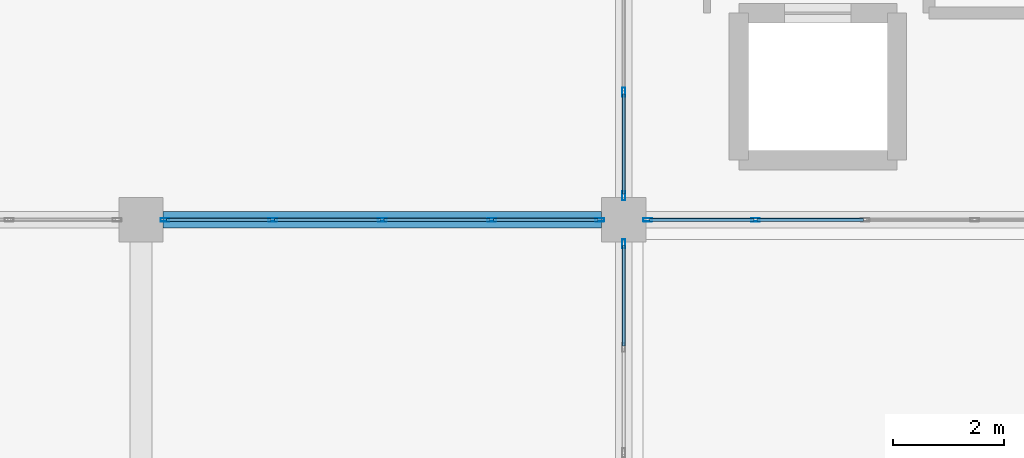
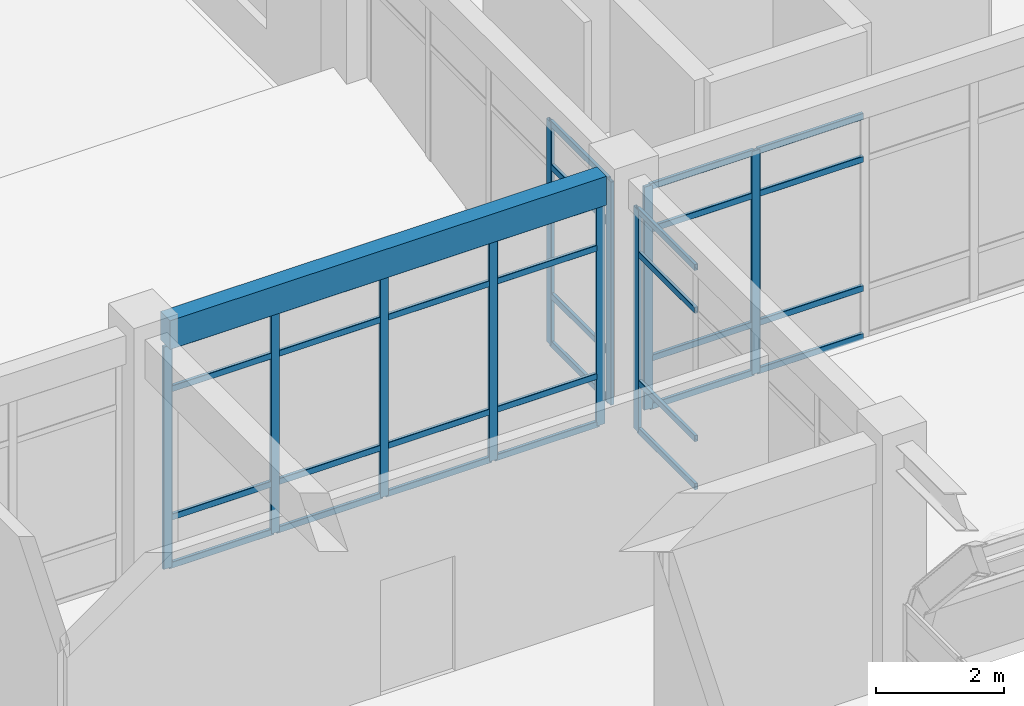
# One storey, part 57 of 124: 42 members, 1 beam, 4 elements without a shape of their own.
"""IFC4 building model written with IfcOpenShell, lengths in metres."""

from ifc_helpers import new_model, si_unit, derived_unit, direction, frame, origin, origin_2d, place, context, subcontext, project, spatial, rectangle, hollow_rectangle, extrude, material, layer, layer_set, material_profile, profile_set, type_object, element, aggregate, save


model = new_model("IFC4")

# Units and contexts
model_context = context("Model", 3, precision=1e-05, world=origin(), true_north=direction((0.0, 1.0)))
body_context = subcontext(model_context, "Body", "Model", "MODEL_VIEW")
ifc_project = project(units=[si_unit("LENGTHUNIT", "METRE"), si_unit("AREAUNIT", "SQUARE_METRE"), si_unit("VOLUMEUNIT", "CUBIC_METRE"), si_unit("PLANEANGLEUNIT", "RADIAN"), si_unit("MASSUNIT", "GRAM", prefix="KILO"), derived_unit("THERMALTRANSMITTANCEUNIT", [(si_unit("MASSUNIT", "GRAM", prefix="KILO"), 1), (si_unit("TIMEUNIT", "SECOND"), -3), (si_unit("THERMODYNAMICTEMPERATUREUNIT", "KELVIN"), -1)])], contexts=[model_context])

# Site, building, storey
site_placement = place(None, origin())
site = spatial("IfcSite", under=ifc_project, at=site_placement, CompositionType="ELEMENT")
building_placement = place(site_placement, origin())
building = spatial("IfcBuilding", under=site, at=building_placement, Name="Qinzheling Arcade Emporium", CompositionType="ELEMENT")
storey_placement = place(building_placement, frame((0.0, 0.0, 16.5)))
storey = spatial("IfcBuildingStorey", under=building, at=storey_placement, Name="L04", CompositionType="ELEMENT", Elevation=16.5)

# Curtain wall, members
ifc_material_1 = material(Name="Anodised aluminium and solar-control double glazing", Category="aluminium")
ifc_layer_1 = layer(ifc_material_1, 0.159912109375, Name="Anodised aluminium and solar-control double glazing", Category="aluminium")
ifc_layer_set_1 = layer_set([ifc_layer_1], Name="Anodised aluminium and solar-control double glazing")
curtain_wall_type_1 = type_object("IfcCurtainWallType", Name="Atrium Clerestory Curtain Wall", PredefinedType="NOTDEFINED", material=ifc_layer_set_1)
curtain_wall_1_placement = place(storey_placement, origin())
curtain_wall_1 = element("IfcCurtainWall", 1, at=curtain_wall_1_placement, inside=storey, type_object=curtain_wall_type_1, Name="Curtain Wall CW-L04-249", PredefinedType="NOTDEFINED")
ifc_material_2 = material(Name="Anodised aluminium 6063-T6", Category="aluminium")
ifc_material_profile_1 = material_profile(ifc_material_2, hollow_rectangle(XDim=0.06005859375, YDim=0.159912109375, WallThickness=0.00390625, InnerFilletRadius=0.00390625, OuterFilletRadius=0.008056640625, at=origin_2d()), Name="RHS 160x60x4", Category="aluminium")
ifc_profile_set_1 = profile_set([ifc_material_profile_1], Name="Anodised aluminium 6063-T6")
member_type_1 = type_object("IfcMemberType", Name="Curtain Wall Mullion RHS160x60", PredefinedType="MULLION", material=ifc_profile_set_1)
member_1_placement = place(storey_placement, frame((96.132080078125, 73.800048828125, 0.0), z_axis=(0.0, 0.0, 1.0), x_axis=(0.0, 1.0, 0.0)))
member_1 = element("IfcMember", 2, at=member_1_placement, type_object=member_type_1, Name="CW03 mullion 1", PredefinedType="MULLION", context=body_context, shape_type="SweptSolid", body=[
    extrude(hollow_rectangle(XDim=0.06005859375, YDim=0.159912109375, WallThickness=0.00390625, InnerFilletRadius=0.00390625, OuterFilletRadius=0.008056640625, at=origin_2d()), origin(), (0.0, 0.0, 1.0), 4.2548828125),
])
member_2_placement = place(storey_placement, frame((98.075927734375, 73.800048828125, 0.0), z_axis=(0.0, 0.0, 1.0), x_axis=(0.0, 1.0, 0.0)))
member_2 = element("IfcMember", 3, at=member_2_placement, type_object=member_type_1, Name="CW03 mullion 2", PredefinedType="MULLION", context=body_context, shape_type="SweptSolid", body=[
    extrude(hollow_rectangle(XDim=0.06005859375, YDim=0.159912109375, WallThickness=0.00390625, InnerFilletRadius=0.00390625, OuterFilletRadius=0.008056640625, at=origin_2d()), origin(), (0.0, 0.0, 1.0), 4.2548828125),
])
member_3_placement = place(storey_placement, frame((100.050048828125, 73.800048828125, 0.0), z_axis=(0.0, 0.0, 1.0), x_axis=(0.0, 1.0, 0.0)))
member_3 = element("IfcMember", 4, at=member_3_placement, type_object=member_type_1, Name="CW03 mullion 3", PredefinedType="MULLION", context=body_context, shape_type="SweptSolid", body=[
    extrude(hollow_rectangle(XDim=0.06005859375, YDim=0.159912109375, WallThickness=0.00390625, InnerFilletRadius=0.00390625, OuterFilletRadius=0.008056640625, at=origin_2d()), origin(), (0.0, 0.0, 1.0), 4.2548828125),
])
member_4_placement = place(storey_placement, frame((102.02392578125, 73.800048828125, 0.0), z_axis=(0.0, 0.0, 1.0), x_axis=(0.0, 1.0, 0.0)))
member_4 = element("IfcMember", 5, at=member_4_placement, type_object=member_type_1, Name="CW03 mullion 4", PredefinedType="MULLION", context=body_context, shape_type="SweptSolid", body=[
    extrude(hollow_rectangle(XDim=0.06005859375, YDim=0.159912109375, WallThickness=0.00390625, InnerFilletRadius=0.00390625, OuterFilletRadius=0.008056640625, at=origin_2d()), origin(), (0.0, 0.0, 1.0), 4.2548828125),
])
member_5_placement = place(storey_placement, frame((103.968017578125, 73.800048828125, 0.0), z_axis=(0.0, 0.0, 1.0), x_axis=(0.0, 1.0, 0.0)))
member_5 = element("IfcMember", 6, at=member_5_placement, type_object=member_type_1, Name="CW03 mullion 5", PredefinedType="MULLION", context=body_context, shape_type="SweptSolid", body=[
    extrude(hollow_rectangle(XDim=0.06005859375, YDim=0.159912109375, WallThickness=0.00390625, InnerFilletRadius=0.00390625, OuterFilletRadius=0.008056640625, at=origin_2d()), origin(), (0.0, 0.0, 1.0), 4.2548828125),
])

# Curtain wall, member
curtain_wall_2_placement = place(storey_placement, origin())
curtain_wall_2 = element("IfcCurtainWall", 7, at=curtain_wall_2_placement, inside=storey, type_object=curtain_wall_type_1, Name="Curtain Wall CW-L04-250", PredefinedType="NOTDEFINED")
member_6_placement = place(storey_placement, frame((104.39990234375, 73.367919921875, 0.0), z_axis=(0.0, 0.0, 1.0), x_axis=(1.0, 0.0, 0.0)))
member_6 = element("IfcMember", 8, at=member_6_placement, type_object=member_type_1, Name="CW03 mullion 1", PredefinedType="MULLION", context=body_context, shape_type="SweptSolid", body=[
    extrude(hollow_rectangle(XDim=0.06005859375, YDim=0.159912109375, WallThickness=0.00390625, InnerFilletRadius=0.00390625, OuterFilletRadius=0.008056640625, at=origin_2d()), origin(), (0.0, 0.0, 1.0), 4.2548828125),
])

# Curtain wall, members
ifc_layer_2 = layer(ifc_material_1, 0.159912109375, Name="Anodised aluminium and solar-control double glazing", Category="aluminium")
ifc_layer_set_2 = layer_set([ifc_layer_2], Name="Anodised aluminium and solar-control double glazing")
curtain_wall_type_2 = type_object("IfcCurtainWallType", Name="Arcade Portal Glazed Curtain Wall", PredefinedType="NOTDEFINED", material=ifc_layer_set_2)
curtain_wall_3_placement = place(storey_placement, origin())
curtain_wall_3 = element("IfcCurtainWall", 9, at=curtain_wall_3_placement, inside=storey, type_object=curtain_wall_type_2, Name="Curtain Wall CW-L04-260", PredefinedType="NOTDEFINED")
member_7_placement = place(storey_placement, frame((104.39990234375, 74.23193359375, 0.0), z_axis=(0.0, 0.0, 1.0), x_axis=(-1.0, 0.0, 0.0)))
member_7 = element("IfcMember", 10, at=member_7_placement, type_object=member_type_1, Name="CW05 mullion 1", PredefinedType="MULLION", context=body_context, shape_type="SweptSolid", body=[
    extrude(hollow_rectangle(XDim=0.06005859375, YDim=0.159912109375, WallThickness=0.00390625, InnerFilletRadius=0.00390625, OuterFilletRadius=0.008056640625, at=origin_2d()), origin(), (0.0, 0.0, 1.0), 4.27001953125),
])
member_8_placement = place(storey_placement, frame((104.39990234375, 76.10107421875, 0.0), z_axis=(0.0, 0.0, 1.0), x_axis=(-1.0, 0.0, 0.0)))
member_8 = element("IfcMember", 11, at=member_8_placement, type_object=member_type_1, Name="CW05 mullion 2", PredefinedType="MULLION", context=body_context, shape_type="SweptSolid", body=[
    extrude(hollow_rectangle(XDim=0.06005859375, YDim=0.159912109375, WallThickness=0.00390625, InnerFilletRadius=0.00390625, OuterFilletRadius=0.008056640625, at=origin_2d()), origin(), (0.0, 0.0, 1.0), 4.27001953125),
])

curtain_wall_4_placement = place(storey_placement, origin())
curtain_wall_4 = element("IfcCurtainWall", 12, at=curtain_wall_4_placement, inside=storey, type_object=curtain_wall_type_2, Name="Curtain Wall CW-L04-285", PredefinedType="NOTDEFINED")
member_9_placement = place(storey_placement, frame((106.77587890625, 73.800048828125, 0.0), z_axis=(0.0, 0.0, 1.0), x_axis=(0.0, -1.0, 0.0)))
member_9 = element("IfcMember", 13, at=member_9_placement, type_object=member_type_1, Name="CW05 mullion 4", PredefinedType="MULLION", context=body_context, shape_type="SweptSolid", body=[
    extrude(hollow_rectangle(XDim=0.06005859375, YDim=0.159912109375, WallThickness=0.00390625, InnerFilletRadius=0.00390625, OuterFilletRadius=0.008056640625, at=origin_2d()), origin(), (0.0, 0.0, 1.0), 4.27001953125),
])
member_10_placement = place(storey_placement, frame((104.83203125, 73.800048828125, 0.0), z_axis=(0.0, 0.0, 1.0), x_axis=(0.0, -1.0, 0.0)))
member_10 = element("IfcMember", 14, at=member_10_placement, type_object=member_type_1, Name="CW05 mullion 5", PredefinedType="MULLION", context=body_context, shape_type="SweptSolid", body=[
    extrude(hollow_rectangle(XDim=0.06005859375, YDim=0.159912109375, WallThickness=0.00390625, InnerFilletRadius=0.00390625, OuterFilletRadius=0.008056640625, at=origin_2d()), origin(), (0.0, 0.0, 1.0), 4.27001953125),
])

# Member
ifc_material_profile_2 = material_profile(ifc_material_2, hollow_rectangle(XDim=0.06005859375, YDim=0.1201171875, WallThickness=0.00390625, InnerFilletRadius=0.00390625, OuterFilletRadius=0.008056640625, at=origin_2d()), Name="RHS 120x60x4", Category="aluminium")
ifc_profile_set_2 = profile_set([ifc_material_profile_2], Name="Anodised aluminium 6063-T6")
member_type_2 = type_object("IfcMemberType", Name="Curtain Wall Transom RHS120x60", PredefinedType="USERDEFINED", material=ifc_profile_set_2)
member_11_placement = place(storey_placement, frame((96.162109375, 73.800048828125, 0.030029296875), z_axis=(1.0, 0.0, 0.0), x_axis=(0.0, 1.0, 0.0)))
member_11 = element("IfcMember", 15, at=member_11_placement, type_object=member_type_2, Name="CW03 transom 1.1", ObjectType="TRANSOM", PredefinedType="USERDEFINED", context=body_context, shape_type="SweptSolid", body=[
    extrude(hollow_rectangle(XDim=0.06005859375, YDim=0.1201171875, WallThickness=0.00390625, InnerFilletRadius=0.00390625, OuterFilletRadius=0.008056640625, at=origin_2d()), origin(), (0.0, 0.0, 1.0), 1.8837890625),
])

member_12_placement = place(storey_placement, frame((96.162109375, 73.800048828125, 0.949951171875), z_axis=(1.0, 0.0, 0.0), x_axis=(0.0, 1.0, 0.0)))
member_12 = element("IfcMember", 16, at=member_12_placement, type_object=member_type_2, Name="CW03 transom 1.2", ObjectType="TRANSOM", PredefinedType="USERDEFINED", context=body_context, shape_type="SweptSolid", body=[
    extrude(hollow_rectangle(XDim=0.06005859375, YDim=0.1201171875, WallThickness=0.00390625, InnerFilletRadius=0.00390625, OuterFilletRadius=0.008056640625, at=origin_2d()), origin(), (0.0, 0.0, 1.0), 1.8837890625),
])

member_13_placement = place(storey_placement, frame((96.162109375, 73.800048828125, 3.405029296875), z_axis=(1.0, 0.0, 0.0), x_axis=(0.0, 1.0, 0.0)))
member_13 = element("IfcMember", 17, at=member_13_placement, type_object=member_type_2, Name="CW03 transom 1.3", ObjectType="TRANSOM", PredefinedType="USERDEFINED", context=body_context, shape_type="SweptSolid", body=[
    extrude(hollow_rectangle(XDim=0.06005859375, YDim=0.1201171875, WallThickness=0.00390625, InnerFilletRadius=0.00390625, OuterFilletRadius=0.008056640625, at=origin_2d()), origin(), (0.0, 0.0, 1.0), 1.8837890625),
])

member_14_placement = place(storey_placement, frame((96.162109375, 73.800048828125, 4.22509765625), z_axis=(1.0, 0.0, 0.0), x_axis=(0.0, 1.0, 0.0)))
member_14 = element("IfcMember", 18, at=member_14_placement, type_object=member_type_2, Name="CW03 transom 1.4", ObjectType="TRANSOM", PredefinedType="USERDEFINED", context=body_context, shape_type="SweptSolid", body=[
    extrude(hollow_rectangle(XDim=0.06005859375, YDim=0.1201171875, WallThickness=0.00390625, InnerFilletRadius=0.00390625, OuterFilletRadius=0.008056640625, at=origin_2d()), origin(), (0.0, 0.0, 1.0), 1.8837890625),
])

member_15_placement = place(storey_placement, frame((98.10595703125, 73.800048828125, 0.030029296875), z_axis=(1.0, 0.0, 0.0), x_axis=(0.0, 1.0, 0.0)))
member_15 = element("IfcMember", 19, at=member_15_placement, type_object=member_type_2, Name="CW03 transom 2.1", ObjectType="TRANSOM", PredefinedType="USERDEFINED", context=body_context, shape_type="SweptSolid", body=[
    extrude(hollow_rectangle(XDim=0.06005859375, YDim=0.1201171875, WallThickness=0.00390625, InnerFilletRadius=0.00390625, OuterFilletRadius=0.008056640625, at=origin_2d()), origin(), (0.0, 0.0, 1.0), 1.9140625),
])

member_16_placement = place(storey_placement, frame((98.10595703125, 73.800048828125, 0.949951171875), z_axis=(1.0, 0.0, 0.0), x_axis=(0.0, 1.0, 0.0)))
member_16 = element("IfcMember", 20, at=member_16_placement, type_object=member_type_2, Name="CW03 transom 2.2", ObjectType="TRANSOM", PredefinedType="USERDEFINED", context=body_context, shape_type="SweptSolid", body=[
    extrude(hollow_rectangle(XDim=0.06005859375, YDim=0.1201171875, WallThickness=0.00390625, InnerFilletRadius=0.00390625, OuterFilletRadius=0.008056640625, at=origin_2d()), origin(), (0.0, 0.0, 1.0), 1.9140625),
])

member_17_placement = place(storey_placement, frame((98.10595703125, 73.800048828125, 3.405029296875), z_axis=(1.0, 0.0, 0.0), x_axis=(0.0, 1.0, 0.0)))
member_17 = element("IfcMember", 21, at=member_17_placement, type_object=member_type_2, Name="CW03 transom 2.3", ObjectType="TRANSOM", PredefinedType="USERDEFINED", context=body_context, shape_type="SweptSolid", body=[
    extrude(hollow_rectangle(XDim=0.06005859375, YDim=0.1201171875, WallThickness=0.00390625, InnerFilletRadius=0.00390625, OuterFilletRadius=0.008056640625, at=origin_2d()), origin(), (0.0, 0.0, 1.0), 1.9140625),
])

member_18_placement = place(storey_placement, frame((98.10595703125, 73.800048828125, 4.22509765625), z_axis=(1.0, 0.0, 0.0), x_axis=(0.0, 1.0, 0.0)))
member_18 = element("IfcMember", 22, at=member_18_placement, type_object=member_type_2, Name="CW03 transom 2.4", ObjectType="TRANSOM", PredefinedType="USERDEFINED", context=body_context, shape_type="SweptSolid", body=[
    extrude(hollow_rectangle(XDim=0.06005859375, YDim=0.1201171875, WallThickness=0.00390625, InnerFilletRadius=0.00390625, OuterFilletRadius=0.008056640625, at=origin_2d()), origin(), (0.0, 0.0, 1.0), 1.9140625),
])

member_19_placement = place(storey_placement, frame((100.080078125, 73.800048828125, 0.030029296875), z_axis=(1.0, 0.0, 0.0), x_axis=(0.0, 1.0, 0.0)))
member_19 = element("IfcMember", 23, at=member_19_placement, type_object=member_type_2, Name="CW03 transom 3.1", ObjectType="TRANSOM", PredefinedType="USERDEFINED", context=body_context, shape_type="SweptSolid", body=[
    extrude(hollow_rectangle(XDim=0.06005859375, YDim=0.1201171875, WallThickness=0.00390625, InnerFilletRadius=0.00390625, OuterFilletRadius=0.008056640625, at=origin_2d()), origin(), (0.0, 0.0, 1.0), 1.913818359375),
])

member_20_placement = place(storey_placement, frame((100.080078125, 73.800048828125, 0.949951171875), z_axis=(1.0, 0.0, 0.0), x_axis=(0.0, 1.0, 0.0)))
member_20 = element("IfcMember", 24, at=member_20_placement, type_object=member_type_2, Name="CW03 transom 3.2", ObjectType="TRANSOM", PredefinedType="USERDEFINED", context=body_context, shape_type="SweptSolid", body=[
    extrude(hollow_rectangle(XDim=0.06005859375, YDim=0.1201171875, WallThickness=0.00390625, InnerFilletRadius=0.00390625, OuterFilletRadius=0.008056640625, at=origin_2d()), origin(), (0.0, 0.0, 1.0), 1.913818359375),
])

member_21_placement = place(storey_placement, frame((100.080078125, 73.800048828125, 3.405029296875), z_axis=(1.0, 0.0, 0.0), x_axis=(0.0, 1.0, 0.0)))
member_21 = element("IfcMember", 25, at=member_21_placement, type_object=member_type_2, Name="CW03 transom 3.3", ObjectType="TRANSOM", PredefinedType="USERDEFINED", context=body_context, shape_type="SweptSolid", body=[
    extrude(hollow_rectangle(XDim=0.06005859375, YDim=0.1201171875, WallThickness=0.00390625, InnerFilletRadius=0.00390625, OuterFilletRadius=0.008056640625, at=origin_2d()), origin(), (0.0, 0.0, 1.0), 1.913818359375),
])

member_22_placement = place(storey_placement, frame((100.080078125, 73.800048828125, 4.22509765625), z_axis=(1.0, 0.0, 0.0), x_axis=(0.0, 1.0, 0.0)))
member_22 = element("IfcMember", 26, at=member_22_placement, type_object=member_type_2, Name="CW03 transom 3.4", ObjectType="TRANSOM", PredefinedType="USERDEFINED", context=body_context, shape_type="SweptSolid", body=[
    extrude(hollow_rectangle(XDim=0.06005859375, YDim=0.1201171875, WallThickness=0.00390625, InnerFilletRadius=0.00390625, OuterFilletRadius=0.008056640625, at=origin_2d()), origin(), (0.0, 0.0, 1.0), 1.913818359375),
])

member_23_placement = place(storey_placement, frame((102.053955078125, 73.800048828125, 0.030029296875), z_axis=(1.0, 0.0, 0.0), x_axis=(0.0, 1.0, 0.0)))
member_23 = element("IfcMember", 27, at=member_23_placement, type_object=member_type_2, Name="CW03 transom 4.1", ObjectType="TRANSOM", PredefinedType="USERDEFINED", context=body_context, shape_type="SweptSolid", body=[
    extrude(hollow_rectangle(XDim=0.06005859375, YDim=0.1201171875, WallThickness=0.00390625, InnerFilletRadius=0.00390625, OuterFilletRadius=0.008056640625, at=origin_2d()), origin(), (0.0, 0.0, 1.0), 1.884033203125),
])

member_24_placement = place(storey_placement, frame((102.053955078125, 73.800048828125, 0.949951171875), z_axis=(1.0, 0.0, 0.0), x_axis=(0.0, 1.0, 0.0)))
member_24 = element("IfcMember", 28, at=member_24_placement, type_object=member_type_2, Name="CW03 transom 4.2", ObjectType="TRANSOM", PredefinedType="USERDEFINED", context=body_context, shape_type="SweptSolid", body=[
    extrude(hollow_rectangle(XDim=0.06005859375, YDim=0.1201171875, WallThickness=0.00390625, InnerFilletRadius=0.00390625, OuterFilletRadius=0.008056640625, at=origin_2d()), origin(), (0.0, 0.0, 1.0), 1.884033203125),
])

member_25_placement = place(storey_placement, frame((102.053955078125, 73.800048828125, 3.405029296875), z_axis=(1.0, 0.0, 0.0), x_axis=(0.0, 1.0, 0.0)))
member_25 = element("IfcMember", 29, at=member_25_placement, type_object=member_type_2, Name="CW03 transom 4.3", ObjectType="TRANSOM", PredefinedType="USERDEFINED", context=body_context, shape_type="SweptSolid", body=[
    extrude(hollow_rectangle(XDim=0.06005859375, YDim=0.1201171875, WallThickness=0.00390625, InnerFilletRadius=0.00390625, OuterFilletRadius=0.008056640625, at=origin_2d()), origin(), (0.0, 0.0, 1.0), 1.884033203125),
])

member_26_placement = place(storey_placement, frame((102.053955078125, 73.800048828125, 4.22509765625), z_axis=(1.0, 0.0, 0.0), x_axis=(0.0, 1.0, 0.0)))
member_26 = element("IfcMember", 30, at=member_26_placement, type_object=member_type_2, Name="CW03 transom 4.4", ObjectType="TRANSOM", PredefinedType="USERDEFINED", context=body_context, shape_type="SweptSolid", body=[
    extrude(hollow_rectangle(XDim=0.06005859375, YDim=0.1201171875, WallThickness=0.00390625, InnerFilletRadius=0.00390625, OuterFilletRadius=0.008056640625, at=origin_2d()), origin(), (0.0, 0.0, 1.0), 1.884033203125),
])

aggregate(curtain_wall_1, [member_1, member_2, member_3, member_4, member_5, member_11, member_12, member_13, member_14, member_15, member_16, member_17, member_18, member_19, member_20, member_21, member_22, member_23, member_24, member_25, member_26])

member_27_placement = place(storey_placement, frame((104.39990234375, 73.337890625, 0.030029296875), z_axis=(0.0, -1.0, 0.0), x_axis=(1.0, 0.0, 0.0)))
member_27 = element("IfcMember", 31, at=member_27_placement, type_object=member_type_2, Name="CW03 transom 1.1", ObjectType="TRANSOM", PredefinedType="USERDEFINED", context=body_context, shape_type="SweptSolid", body=[
    extrude(hollow_rectangle(XDim=0.06005859375, YDim=0.1201171875, WallThickness=0.00390625, InnerFilletRadius=0.00390625, OuterFilletRadius=0.008056640625, at=origin_2d()), origin(), (0.0, 0.0, 1.0), 1.808837890625),
])

member_28_placement = place(storey_placement, frame((104.39990234375, 73.337890625, 0.949951171875), z_axis=(0.0, -1.0, 0.0), x_axis=(1.0, 0.0, 0.0)))
member_28 = element("IfcMember", 32, at=member_28_placement, type_object=member_type_2, Name="CW03 transom 1.2", ObjectType="TRANSOM", PredefinedType="USERDEFINED", context=body_context, shape_type="SweptSolid", body=[
    extrude(hollow_rectangle(XDim=0.06005859375, YDim=0.1201171875, WallThickness=0.00390625, InnerFilletRadius=0.00390625, OuterFilletRadius=0.008056640625, at=origin_2d()), origin(), (0.0, 0.0, 1.0), 1.808837890625),
])

member_29_placement = place(storey_placement, frame((104.39990234375, 73.337890625, 3.405029296875), z_axis=(0.0, -1.0, 0.0), x_axis=(1.0, 0.0, 0.0)))
member_29 = element("IfcMember", 33, at=member_29_placement, type_object=member_type_2, Name="CW03 transom 1.3", ObjectType="TRANSOM", PredefinedType="USERDEFINED", context=body_context, shape_type="SweptSolid", body=[
    extrude(hollow_rectangle(XDim=0.06005859375, YDim=0.1201171875, WallThickness=0.00390625, InnerFilletRadius=0.00390625, OuterFilletRadius=0.008056640625, at=origin_2d()), origin(), (0.0, 0.0, 1.0), 1.808837890625),
])

member_30_placement = place(storey_placement, frame((104.39990234375, 73.337890625, 4.22509765625), z_axis=(0.0, -1.0, 0.0), x_axis=(1.0, 0.0, 0.0)))
member_30 = element("IfcMember", 34, at=member_30_placement, type_object=member_type_2, Name="CW03 transom 1.4", ObjectType="TRANSOM", PredefinedType="USERDEFINED", context=body_context, shape_type="SweptSolid", body=[
    extrude(hollow_rectangle(XDim=0.06005859375, YDim=0.1201171875, WallThickness=0.00390625, InnerFilletRadius=0.00390625, OuterFilletRadius=0.008056640625, at=origin_2d()), origin(), (0.0, 0.0, 1.0), 1.808837890625),
])

aggregate(curtain_wall_2, [member_6, member_27, member_28, member_29, member_30])

member_31_placement = place(storey_placement, frame((104.39990234375, 74.261962890625, 0.030029296875), z_axis=(0.0, 1.0, 0.0), x_axis=(-1.0, 0.0, 0.0)))
member_31 = element("IfcMember", 35, at=member_31_placement, type_object=member_type_2, Name="CW05 transom 1.1", ObjectType="TRANSOM", PredefinedType="USERDEFINED", context=body_context, shape_type="SweptSolid", body=[
    extrude(hollow_rectangle(XDim=0.06005859375, YDim=0.1201171875, WallThickness=0.00390625, InnerFilletRadius=0.00390625, OuterFilletRadius=0.008056640625, at=origin_2d()), origin(), (0.0, 0.0, 1.0), 1.80908203125),
])

member_32_placement = place(storey_placement, frame((104.39990234375, 74.261962890625, 0.949951171875), z_axis=(0.0, 1.0, 0.0), x_axis=(-1.0, 0.0, 0.0)))
member_32 = element("IfcMember", 36, at=member_32_placement, type_object=member_type_2, Name="CW05 transom 1.2", ObjectType="TRANSOM", PredefinedType="USERDEFINED", context=body_context, shape_type="SweptSolid", body=[
    extrude(hollow_rectangle(XDim=0.06005859375, YDim=0.1201171875, WallThickness=0.00390625, InnerFilletRadius=0.00390625, OuterFilletRadius=0.008056640625, at=origin_2d()), origin(), (0.0, 0.0, 1.0), 1.80908203125),
])

member_33_placement = place(storey_placement, frame((104.39990234375, 74.261962890625, 3.419921875), z_axis=(0.0, 1.0, 0.0), x_axis=(-1.0, 0.0, 0.0)))
member_33 = element("IfcMember", 37, at=member_33_placement, type_object=member_type_2, Name="CW05 transom 1.3", ObjectType="TRANSOM", PredefinedType="USERDEFINED", context=body_context, shape_type="SweptSolid", body=[
    extrude(hollow_rectangle(XDim=0.06005859375, YDim=0.1201171875, WallThickness=0.00390625, InnerFilletRadius=0.00390625, OuterFilletRadius=0.008056640625, at=origin_2d()), origin(), (0.0, 0.0, 1.0), 1.80908203125),
])

member_34_placement = place(storey_placement, frame((104.39990234375, 74.261962890625, 4.239990234375), z_axis=(0.0, 1.0, 0.0), x_axis=(-1.0, 0.0, 0.0)))
member_34 = element("IfcMember", 38, at=member_34_placement, type_object=member_type_2, Name="CW05 transom 1.4", ObjectType="TRANSOM", PredefinedType="USERDEFINED", context=body_context, shape_type="SweptSolid", body=[
    extrude(hollow_rectangle(XDim=0.06005859375, YDim=0.1201171875, WallThickness=0.00390625, InnerFilletRadius=0.00390625, OuterFilletRadius=0.008056640625, at=origin_2d()), origin(), (0.0, 0.0, 1.0), 1.80908203125),
])

aggregate(curtain_wall_3, [member_7, member_8, member_31, member_32, member_33, member_34])

member_35_placement = place(storey_placement, frame((108.719970703125, 73.800048828125, 0.030029296875), z_axis=(-1.0, 0.0, 0.0), x_axis=(0.0, -1.0, 0.0)))
member_35 = element("IfcMember", 39, at=member_35_placement, type_object=member_type_2, Name="CW05 transom 3.1", ObjectType="TRANSOM", PredefinedType="USERDEFINED", context=body_context, shape_type="SweptSolid", body=[
    extrude(hollow_rectangle(XDim=0.06005859375, YDim=0.1201171875, WallThickness=0.00390625, InnerFilletRadius=0.00390625, OuterFilletRadius=0.008056640625, at=origin_2d()), origin(), (0.0, 0.0, 1.0), 1.9140625),
])

member_36_placement = place(storey_placement, frame((108.719970703125, 73.800048828125, 0.949951171875), z_axis=(-1.0, 0.0, 0.0), x_axis=(0.0, -1.0, 0.0)))
member_36 = element("IfcMember", 40, at=member_36_placement, type_object=member_type_2, Name="CW05 transom 3.2", ObjectType="TRANSOM", PredefinedType="USERDEFINED", context=body_context, shape_type="SweptSolid", body=[
    extrude(hollow_rectangle(XDim=0.06005859375, YDim=0.1201171875, WallThickness=0.00390625, InnerFilletRadius=0.00390625, OuterFilletRadius=0.008056640625, at=origin_2d()), origin(), (0.0, 0.0, 1.0), 1.9140625),
])

member_37_placement = place(storey_placement, frame((108.719970703125, 73.800048828125, 3.419921875), z_axis=(-1.0, 0.0, 0.0), x_axis=(0.0, -1.0, 0.0)))
member_37 = element("IfcMember", 41, at=member_37_placement, type_object=member_type_2, Name="CW05 transom 3.3", ObjectType="TRANSOM", PredefinedType="USERDEFINED", context=body_context, shape_type="SweptSolid", body=[
    extrude(hollow_rectangle(XDim=0.06005859375, YDim=0.1201171875, WallThickness=0.00390625, InnerFilletRadius=0.00390625, OuterFilletRadius=0.008056640625, at=origin_2d()), origin(), (0.0, 0.0, 1.0), 1.9140625),
])

member_38_placement = place(storey_placement, frame((108.719970703125, 73.800048828125, 4.239990234375), z_axis=(-1.0, 0.0, 0.0), x_axis=(0.0, -1.0, 0.0)))
member_38 = element("IfcMember", 42, at=member_38_placement, type_object=member_type_2, Name="CW05 transom 3.4", ObjectType="TRANSOM", PredefinedType="USERDEFINED", context=body_context, shape_type="SweptSolid", body=[
    extrude(hollow_rectangle(XDim=0.06005859375, YDim=0.1201171875, WallThickness=0.00390625, InnerFilletRadius=0.00390625, OuterFilletRadius=0.008056640625, at=origin_2d()), origin(), (0.0, 0.0, 1.0), 1.9140625),
])

member_39_placement = place(storey_placement, frame((106.74609375, 73.800048828125, 0.030029296875), z_axis=(-1.0, 0.0, 0.0), x_axis=(0.0, -1.0, 0.0)))
member_39 = element("IfcMember", 43, at=member_39_placement, type_object=member_type_2, Name="CW05 transom 4.1", ObjectType="TRANSOM", PredefinedType="USERDEFINED", context=body_context, shape_type="SweptSolid", body=[
    extrude(hollow_rectangle(XDim=0.06005859375, YDim=0.1201171875, WallThickness=0.00390625, InnerFilletRadius=0.00390625, OuterFilletRadius=0.008056640625, at=origin_2d()), origin(), (0.0, 0.0, 1.0), 1.884033203125),
])

member_40_placement = place(storey_placement, frame((106.74609375, 73.800048828125, 0.949951171875), z_axis=(-1.0, 0.0, 0.0), x_axis=(0.0, -1.0, 0.0)))
member_40 = element("IfcMember", 44, at=member_40_placement, type_object=member_type_2, Name="CW05 transom 4.2", ObjectType="TRANSOM", PredefinedType="USERDEFINED", context=body_context, shape_type="SweptSolid", body=[
    extrude(hollow_rectangle(XDim=0.06005859375, YDim=0.1201171875, WallThickness=0.00390625, InnerFilletRadius=0.00390625, OuterFilletRadius=0.008056640625, at=origin_2d()), origin(), (0.0, 0.0, 1.0), 1.884033203125),
])

member_41_placement = place(storey_placement, frame((106.74609375, 73.800048828125, 3.419921875), z_axis=(-1.0, 0.0, 0.0), x_axis=(0.0, -1.0, 0.0)))
member_41 = element("IfcMember", 45, at=member_41_placement, type_object=member_type_2, Name="CW05 transom 4.3", ObjectType="TRANSOM", PredefinedType="USERDEFINED", context=body_context, shape_type="SweptSolid", body=[
    extrude(hollow_rectangle(XDim=0.06005859375, YDim=0.1201171875, WallThickness=0.00390625, InnerFilletRadius=0.00390625, OuterFilletRadius=0.008056640625, at=origin_2d()), origin(), (0.0, 0.0, 1.0), 1.884033203125),
])

member_42_placement = place(storey_placement, frame((106.74609375, 73.800048828125, 4.239990234375), z_axis=(-1.0, 0.0, 0.0), x_axis=(0.0, -1.0, 0.0)))
member_42 = element("IfcMember", 46, at=member_42_placement, type_object=member_type_2, Name="CW05 transom 4.4", ObjectType="TRANSOM", PredefinedType="USERDEFINED", context=body_context, shape_type="SweptSolid", body=[
    extrude(hollow_rectangle(XDim=0.06005859375, YDim=0.1201171875, WallThickness=0.00390625, InnerFilletRadius=0.00390625, OuterFilletRadius=0.008056640625, at=origin_2d()), origin(), (0.0, 0.0, 1.0), 1.884033203125),
])

aggregate(curtain_wall_4, [member_9, member_10, member_35, member_36, member_37, member_38, member_39, member_40, member_41, member_42])

# Beam
ifc_material_3 = material(Name="Concrete C40", Category="concrete")
ifc_material_profile_3 = material_profile(ifc_material_3, rectangle(XDim=0.300048828125, YDim=0.550048828125, at=origin_2d()), Name="RC 300x550", Category="concrete")
ifc_profile_set_3 = profile_set([ifc_material_profile_3], Name="Concrete C40")
beam_type = type_object("IfcBeamType", Name="RC Terrace Spandrel Beam 300x550 C40", PredefinedType="SPANDREL", material=ifc_profile_set_3)
beam_placement = place(storey_placement, frame((96.10009765625, 73.800048828125, 4.544921875), z_axis=(1.0, 0.0, 0.0), x_axis=(0.0, 1.0, 0.0)))
element("IfcBeam", 47, at=beam_placement, inside=storey, type_object=beam_type, Name="Beam BM-L04-X-J-12", PredefinedType="SPANDREL", context=body_context, shape_type="SweptSolid", body=[
    extrude(rectangle(XDim=0.300048828125, YDim=0.550048828125, at=origin_2d()), origin(), (0.0, 0.0, 1.0), 7.89990234375),
])

save(model, "model.ifc")
